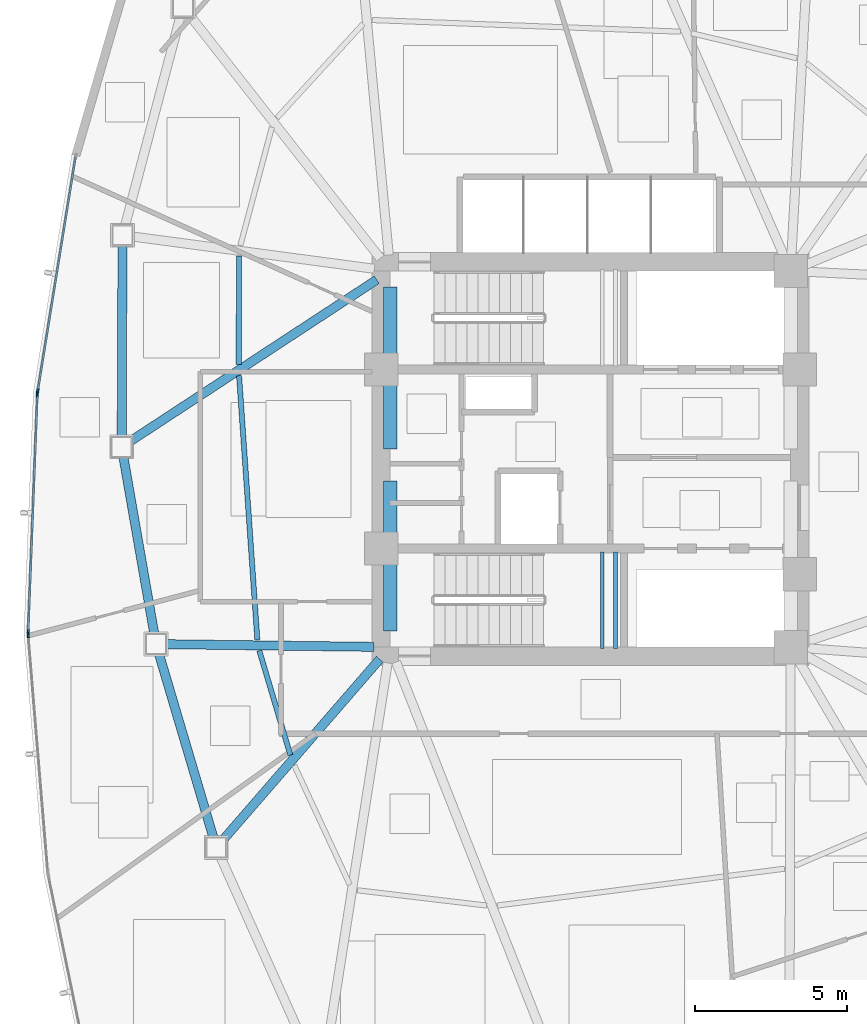
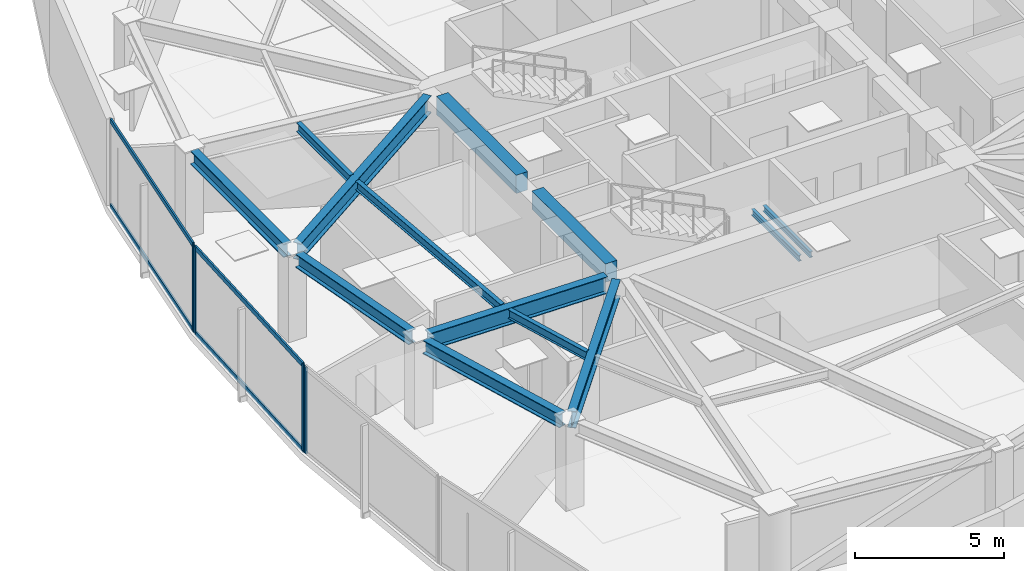
# One storey, part 4 of 17: 13 beams, 8 members, 3 elements without a shape of their own.
"""IFC4 building model written with IfcOpenShell, lengths in metres."""

from ifc_helpers import new_model, si_unit, direction, frame, origin, origin_2d, place, context, subcontext, project, spatial, rectangle, hollow_rectangle, i_section, extrude, source, transform, mapped, material, layer, layer_set, material_profile, profile_set, type_object, type_shapes, element, aggregate, save


model = new_model("IFC4")

# Units and contexts
model_context = context("Model", 3, precision=1e-05, world=origin(), true_north=direction((0.0, 1.0)))
body_context = subcontext(model_context, "Body", "Model", "MODEL_VIEW")
ifc_project = project(units=[si_unit("LENGTHUNIT", "METRE"), si_unit("AREAUNIT", "SQUARE_METRE"), si_unit("VOLUMEUNIT", "CUBIC_METRE"), si_unit("PLANEANGLEUNIT", "RADIAN"), si_unit("MASSUNIT", "GRAM", prefix="KILO")], contexts=[model_context])

# Site, building, storey
site_placement = place(None, origin())
site = spatial("IfcSite", under=ifc_project, at=site_placement, CompositionType="ELEMENT")
building_placement = place(site_placement, origin())
building = spatial("IfcBuilding", under=site, at=building_placement, Name="Tavelor Broadcast Tower", CompositionType="ELEMENT")
storey_placement = place(building_placement, frame((0.0, 0.0, 134.85009765625)))
storey = spatial("IfcBuildingStorey", under=building, at=storey_placement, Name="L31", CompositionType="ELEMENT", Elevation=134.85009765625)

# Beams
ifc_material_1 = material(Name="Concrete C40/50", Category="concrete")
ifc_material_profile_1 = material_profile(ifc_material_1, rectangle(XDim=0.449951171875, YDim=0.75, at=origin_2d()), Name="RC 450x750")
ifc_profile_set_1 = profile_set([ifc_material_profile_1], Name="Concrete C40/50")
beam_type_1 = type_object("IfcBeamType", Name="Basement Core Trim Beam 450x750", PredefinedType="BEAM", material=ifc_profile_set_1)
beam_1_placement = place(storey_placement, frame((43.39990234375, 45.327880859375, 3.1748046875), z_axis=(0.0, 1.0, 0.0), x_axis=(-1.0, 0.0, 0.0)))
element("IfcBeam", 1, at=beam_1_placement, inside=storey, type_object=beam_type_1, Name="L31 Core West-N Tie Girder", PredefinedType="BEAM", context=body_context, shape_type="SweptSolid", body=[
    extrude(rectangle(XDim=0.449951171875, YDim=0.75, at=origin_2d()), origin(), (0.0, 0.0, 1.0), 5.34423828125),
])
beam_2_placement = place(storey_placement, frame((43.39990234375, 39.327880859375, 3.1748046875), z_axis=(0.0, 1.0, 0.0), x_axis=(-1.0, 0.0, 0.0)))
element("IfcBeam", 2, at=beam_2_placement, inside=storey, type_object=beam_type_1, Name="L31 Core West-S Tie Girder", PredefinedType="BEAM", context=body_context, shape_type="SweptSolid", body=[
    extrude(rectangle(XDim=0.449951171875, YDim=0.75, at=origin_2d()), origin(), (0.0, 0.0, 1.0), 4.944091796875),
])
ifc_material_2 = material(Name="Steel S355", Category="steel")
ifc_material_profile_2 = material_profile(ifc_material_2, i_section(OverallWidth=0.169921875, OverallDepth=0.360107421875, WebThickness=0.008056640625, FlangeThickness=0.0126953125, at=origin_2d()), Name="IPE 360")
ifc_profile_set_2 = profile_set([ifc_material_profile_2], Name="Steel S355")
beam_type_2 = type_object("IfcBeamType", Name="Composite Floor Joist T3 IPE 360", PredefinedType="JOIST", material=ifc_profile_set_2)
beam_3_placement = place(storey_placement, frame((38.413818359375, 51.685302734375, 3.369873046875), z_axis=(-0.002320654457, -0.999997307278, 0.0), x_axis=(0.999997307278, -0.002320654457, 0.0)))
element("IfcBeam", 3, at=beam_3_placement, inside=storey, type_object=beam_type_2, Name="L31 Secondary Composite Floor Joist 03", PredefinedType="JOIST", context=body_context, shape_type="SweptSolid", body=[
    extrude(i_section(OverallWidth=0.169921875, OverallDepth=0.360107421875, WebThickness=0.008056640625, FlangeThickness=0.0126953125, at=origin_2d()), origin(), (0.0, 0.0, 1.0), 3.576904296875),
])
beam_4_placement = place(storey_placement, frame((38.41748046875, 47.74658203125, 3.369873046875), z_axis=(0.069100565304, -0.997609699168, 0.0), x_axis=(0.997609699168, 0.069100565304, 0.0)))
element("IfcBeam", 4, at=beam_4_placement, inside=storey, type_object=beam_type_2, Name="L31 Secondary Composite Floor Joist 04", PredefinedType="JOIST", context=body_context, shape_type="SweptSolid", body=[
    extrude(i_section(OverallWidth=0.169921875, OverallDepth=0.360107421875, WebThickness=0.008056640625, FlangeThickness=0.0126953125, at=origin_2d()), origin(), (0.0, 0.0, 1.0), 8.730224609375),
])
beam_5_placement = place(storey_placement, frame((39.084716796875, 38.68310546875, 3.369873046875), z_axis=(0.285203072184, -0.958467113477, 0.0), x_axis=(0.958467113477, 0.285203072184, 0.0)))
element("IfcBeam", 5, at=beam_5_placement, inside=storey, type_object=beam_type_2, Name="L31 Secondary Composite Floor Joist 05", PredefinedType="JOIST", context=body_context, shape_type="SweptSolid", body=[
    extrude(i_section(OverallWidth=0.169921875, OverallDepth=0.360107421875, WebThickness=0.008056640625, FlangeThickness=0.0126953125, at=origin_2d()), origin(), (0.0, 0.0, 1.0), 3.593505859375),
])
ifc_material_profile_3 = material_profile(ifc_material_2, i_section(OverallWidth=0.300048828125, OverallDepth=0.550048828125, WebThickness=0.014892578125, FlangeThickness=0.029052734375, at=origin_2d()), Name="HEB 550")
ifc_profile_set_3 = profile_set([ifc_material_profile_3], Name="Steel S355")
beam_type_3 = type_object("IfcBeamType", Name="Perimeter Spandrel Beam T3 HEB 550", PredefinedType="SPANDREL", material=ifc_profile_set_3)
beam_6_placement = place(storey_placement, frame((34.57373046875, 52.043212890625, 3.27490234375), z_axis=(-0.00410245019, -0.999991584916, 0.0), x_axis=(0.999991584916, -0.00410245019, 0.0)))
element("IfcBeam", 6, at=beam_6_placement, inside=storey, type_object=beam_type_3, Name="L31 Framed-Tube Ring Spandrel 03", PredefinedType="SPANDREL", context=body_context, shape_type="SweptSolid", body=[
    extrude(i_section(OverallWidth=0.300048828125, OverallDepth=0.550048828125, WebThickness=0.014892578125, FlangeThickness=0.029052734375, at=origin_2d()), origin(), (0.0, 0.0, 1.0), 6.30810546875),
])
beam_7_placement = place(storey_placement, frame((34.604248046875, 45.068115234375, 3.27490234375), z_axis=(0.17197754126, -0.985100870623, 0.0), x_axis=(0.985100870623, 0.17197754126, 0.0)))
element("IfcBeam", 7, at=beam_7_placement, inside=storey, type_object=beam_type_3, Name="L31 Framed-Tube Ring Spandrel 04", PredefinedType="SPANDREL", context=body_context, shape_type="SweptSolid", body=[
    extrude(i_section(OverallWidth=0.300048828125, OverallDepth=0.550048828125, WebThickness=0.014892578125, FlangeThickness=0.029052734375, at=origin_2d()), origin(), (0.0, 0.0, 1.0), 5.925537109375),
])
beam_8_placement = place(storey_placement, frame((35.7763671875, 38.57763671875, 3.27490234375), z_axis=(0.283996338182, -0.958825364652, 0.0), x_axis=(0.958825364652, 0.283996338182, 0.0)))
element("IfcBeam", 8, at=beam_8_placement, inside=storey, type_object=beam_type_3, Name="L31 Framed-Tube Ring Spandrel 05", PredefinedType="SPANDREL", context=body_context, shape_type="SweptSolid", body=[
    extrude(i_section(OverallWidth=0.300048828125, OverallDepth=0.550048828125, WebThickness=0.014892578125, FlangeThickness=0.029052734375, at=origin_2d()), origin(), (0.0, 0.0, 1.0), 6.325439453125),
])
ifc_material_profile_4 = material_profile(ifc_material_2, i_section(OverallWidth=0.300048828125, OverallDepth=0.68994140625, WebThickness=0.014404296875, FlangeThickness=0.027099609375, at=origin_2d()), Name="HEA 700")
ifc_profile_set_4 = profile_set([ifc_material_profile_4], Name="Steel S355")
beam_type_4 = type_object("IfcBeamType", Name="Radial Floor Girder T3 HEA 700", PredefinedType="BEAM", material=ifc_profile_set_4)
beam_9_placement = place(storey_placement, frame((42.95849609375, 50.91064453125, 3.204833984375), z_axis=(-0.836455571638, -0.548034740391, 0.0), x_axis=(0.548034740391, -0.836455571638, 0.0)))
element("IfcBeam", 9, at=beam_9_placement, inside=storey, type_object=beam_type_4, Name="L31 Radial Primary Floor Girder 04", PredefinedType="BEAM", context=body_context, shape_type="SweptSolid", body=[
    extrude(i_section(OverallWidth=0.300048828125, OverallDepth=0.68994140625, WebThickness=0.014404296875, FlangeThickness=0.027099609375, at=origin_2d()), origin(), (0.0, 0.0, 1.0), 9.720947265625),
])
beam_10_placement = place(storey_placement, frame((42.8720703125, 38.806884765625, 3.204833984375), z_axis=(-0.999916440376, 0.012927190963, 0.0), x_axis=(-0.012927190963, -0.999916440376, 0.0)))
element("IfcBeam", 10, at=beam_10_placement, inside=storey, type_object=beam_type_4, Name="L31 Radial Primary Floor Girder 05", PredefinedType="BEAM", context=body_context, shape_type="SweptSolid", body=[
    extrude(i_section(OverallWidth=0.300048828125, OverallDepth=0.68994140625, WebThickness=0.014404296875, FlangeThickness=0.027099609375, at=origin_2d()), origin(), (0.0, 0.0, 1.0), 6.85546875),
])
beam_11_placement = place(storey_placement, frame((43.05419921875, 38.401123046875, 3.204833984375), z_axis=(-0.655166261537, -0.755484725024, 0.0), x_axis=(0.755484725024, -0.655166261537, 0.0)))
element("IfcBeam", 11, at=beam_11_placement, inside=storey, type_object=beam_type_4, Name="L31 Radial Primary Floor Girder 06", PredefinedType="BEAM", context=body_context, shape_type="SweptSolid", body=[
    extrude(i_section(OverallWidth=0.300048828125, OverallDepth=0.68994140625, WebThickness=0.014404296875, FlangeThickness=0.027099609375, at=origin_2d()), origin(), (0.0, 0.0, 1.0), 7.885009765625),
])
ifc_material_profile_5 = material_profile(ifc_material_2, i_section(OverallWidth=0.1201171875, OverallDepth=0.239990234375, WebThickness=0.006103515625, FlangeThickness=0.009765625, at=origin_2d()), Name="IPE 240")
ifc_profile_set_5 = profile_set([ifc_material_profile_5], Name="Steel S355")
beam_type_5 = type_object("IfcBeamType", Name="Stairwell Landing Support Trimmer Beam IPE240", PredefinedType="BEAM", material=ifc_profile_set_5)
for number, where, z_axis, x_axis, name in (
    (12, (50.385009765625, 38.760009765625, 1.60986328125), (0.0, 1.0, 0.0), (-1.0, 0.0, 0.0), "L31 Stair Landing Support Beam 309"),
    (13, (50.824951171875, 38.760009765625, 1.60986328125), (0.0, 1.0, 0.0), (-1.0, 0.0, 0.0), "L31 Stair Landing Support Beam 310"),
):
    element("IfcBeam", number, at=place(storey_placement, frame(where, z_axis=z_axis, x_axis=x_axis)), inside=storey, type_object=beam_type_5, Name=name, PredefinedType="BEAM", context=body_context, shape_type="SweptSolid", body=[
        extrude(i_section(OverallWidth=0.1201171875, OverallDepth=0.239990234375, WebThickness=0.006103515625, FlangeThickness=0.009765625, at=origin_2d()), origin(), (0.0, 0.0, 1.0), 3.179931640625),
    ])

# Curtain wall, member
ifc_material_3 = material(Name="Architectural Anodized Aluminium", Category="aluminium")
ifc_layer = layer(ifc_material_3, 0.18994140625)
ifc_layer_set = layer_set([ifc_layer], Name="Architectural Anodized Aluminium")
curtain_wall_type = type_object("IfcCurtainWallType", Name="Tower Mid-Zone Acoustic Curtain Wall CW03", PredefinedType="NOTDEFINED", material=ifc_layer_set)
curtain_wall_1_placement = place(storey_placement, origin())
curtain_wall_1 = element("IfcCurtainWall", 14, at=curtain_wall_1_placement, inside=storey, type_object=curtain_wall_type, Name="L31 Curtain Wall CW03 Run 313", PredefinedType="NOTDEFINED")
ifc_material_profile_6 = material_profile(ifc_material_3, hollow_rectangle(XDim=0.068115234375, YDim=0.18994140625, WallThickness=0.02197265625, at=origin_2d()), Name="RHS 68x190x22")
ifc_profile_set_6 = profile_set([ifc_material_profile_6], Name="Architectural Anodized Aluminium")
member_type_1 = type_object("IfcMemberType", Name="CW03 Extruded Aluminium Mullion 68x190", PredefinedType="MULLION", material=ifc_profile_set_6)
shared_shape_1 = source(origin(), body_context, "Body", "SweptSolid", [
    extrude(hollow_rectangle(XDim=0.068115234375, YDim=0.18994140625, WallThickness=0.02197265625, at=origin_2d()), origin(), (0.0, 0.0, 1.0), 3.5498046875),
])
type_shapes(member_type_1, [shared_shape_1])
member_1_placement = place(storey_placement, frame((31.779052734375, 47.22705078125, 0.0), z_axis=(0.0, 0.0, 1.0), x_axis=(0.98720454021, -0.159459072455, 0.0)))
member_1 = element("IfcMember", 15, at=member_1_placement, type_object=member_type_1, Name="CW03 mullion 2", PredefinedType="MULLION", context=body_context, shape_type="MappedRepresentation", body=[
    mapped(shared_shape_1, transform((0.0, 0.0, 0.0), scale=1.0)),
])

# Curtain wall, members
curtain_wall_2_placement = place(storey_placement, origin())
curtain_wall_2 = element("IfcCurtainWall", 16, at=curtain_wall_2_placement, inside=storey, type_object=curtain_wall_type, Name="L31 Curtain Wall CW03 Run 314", PredefinedType="NOTDEFINED")
member_2_placement = place(storey_placement, frame((31.769287109375, 47.1298828125, 0.0), z_axis=(0.0, 0.0, 1.0), x_axis=(0.999246322723, -0.038817348253, 0.0)))
member_2 = element("IfcMember", 17, at=member_2_placement, type_object=member_type_1, Name="CW03 mullion 1", PredefinedType="MULLION", context=body_context, shape_type="MappedRepresentation", body=[
    mapped(shared_shape_1, transform((0.0, 0.0, 0.0), scale=1.0)),
])
member_3_placement = place(storey_placement, frame((31.465087890625, 39.29736328125, 0.0), z_axis=(0.0, 0.0, 1.0), x_axis=(0.999246322723, -0.038817348253, 0.0)))
member_3 = element("IfcMember", 18, at=member_3_placement, type_object=member_type_1, Name="CW03 mullion 2", PredefinedType="MULLION", context=body_context, shape_type="MappedRepresentation", body=[
    mapped(shared_shape_1, transform((0.0, 0.0, 0.0), scale=1.0)),
])

# Curtain wall, member
curtain_wall_3_placement = place(storey_placement, origin())
curtain_wall_3 = element("IfcCurtainWall", 19, at=curtain_wall_3_placement, inside=storey, type_object=curtain_wall_type, Name="L31 Curtain Wall CW03 Run 315", PredefinedType="NOTDEFINED")
member_4_placement = place(storey_placement, frame((31.46728515625, 39.19970703125, 0.0), z_axis=(0.0, 0.0, 1.0), x_axis=(0.996601014828, 0.082379713791, 0.0)))
member_4 = element("IfcMember", 20, at=member_4_placement, type_object=member_type_1, Name="CW03 mullion 1", PredefinedType="MULLION", context=body_context, shape_type="MappedRepresentation", body=[
    mapped(shared_shape_1, transform((0.0, 0.0, 0.0), scale=1.0)),
])
aggregate(curtain_wall_3, [member_4])

# Member
ifc_material_profile_7 = material_profile(ifc_material_3, hollow_rectangle(XDim=0.068115234375, YDim=0.18994140625, WallThickness=0.02197265625, at=origin_2d()), Name="RHS 68x190x22")
ifc_profile_set_7 = profile_set([ifc_material_profile_7], Name="Architectural Anodized Aluminium")
member_type_2 = type_object("IfcMemberType", Name="CW03 Extruded Aluminium Transom 68x190", PredefinedType="USERDEFINED", material=ifc_profile_set_7)
shared_shape_2 = source(origin(), body_context, "Body", "SweptSolid", [
    extrude(hollow_rectangle(XDim=0.068115234375, YDim=0.18994140625, WallThickness=0.02197265625, at=origin_2d()), origin(), (0.0, 0.0, 1.0), 7.78515625),
])
member_5_placement = place(storey_placement, frame((33.02587890625, 54.9462890625, 0.033935546875), z_axis=(-0.159464133729, -0.98720372267, 0.0), x_axis=(0.98720372267, -0.159464133729, 0.0)))
member_5 = element("IfcMember", 21, at=member_5_placement, type_object=member_type_2, Name="CW03 transom 1.1", ObjectType="TRANSOM", PredefinedType="USERDEFINED", context=body_context, shape_type="MappedRepresentation", body=[
    mapped(shared_shape_2, transform((0.0, 0.0, 0.0), scale=1.0)),
])

member_6_placement = place(storey_placement, frame((33.02587890625, 54.9462890625, 3.515869140625), z_axis=(-0.159464133729, -0.98720372267, 0.0), x_axis=(0.98720372267, -0.159464133729, 0.0)))
member_6 = element("IfcMember", 22, at=member_6_placement, type_object=member_type_2, Name="CW03 transom 1.2", ObjectType="TRANSOM", PredefinedType="USERDEFINED", context=body_context, shape_type="MappedRepresentation", body=[
    mapped(shared_shape_2, transform((0.0, 0.0, 0.0), scale=1.0)),
])

aggregate(curtain_wall_1, [member_1, member_5, member_6])

shared_shape_3 = source(origin(), body_context, "Body", "SweptSolid", [
    extrude(hollow_rectangle(XDim=0.068115234375, YDim=0.18994140625, WallThickness=0.02197265625, at=origin_2d()), origin(), (0.0, 0.0, 1.0), 7.770263671875),
])
type_shapes(member_type_2, [shared_shape_2, shared_shape_3])
member_7_placement = place(storey_placement, frame((31.76806640625, 47.095947265625, 0.033935546875), z_axis=(-0.038803567889, -0.999246857948, 0.0), x_axis=(0.999246857948, -0.038803567889, 0.0)))
member_7 = element("IfcMember", 23, at=member_7_placement, type_object=member_type_2, Name="CW03 transom 1.1", ObjectType="TRANSOM", PredefinedType="USERDEFINED", context=body_context, shape_type="MappedRepresentation", body=[
    mapped(shared_shape_3, transform((0.0, 0.0, 0.0), scale=1.0)),
])

member_8_placement = place(storey_placement, frame((31.76806640625, 47.095947265625, 3.515869140625), z_axis=(-0.038803567889, -0.999246857948, 0.0), x_axis=(0.999246857948, -0.038803567889, 0.0)))
member_8 = element("IfcMember", 24, at=member_8_placement, type_object=member_type_2, Name="CW03 transom 1.2", ObjectType="TRANSOM", PredefinedType="USERDEFINED", context=body_context, shape_type="MappedRepresentation", body=[
    mapped(shared_shape_3, transform((0.0, 0.0, 0.0), scale=1.0)),
])

aggregate(curtain_wall_2, [member_2, member_3, member_7, member_8])

save(model, "model.ifc")
